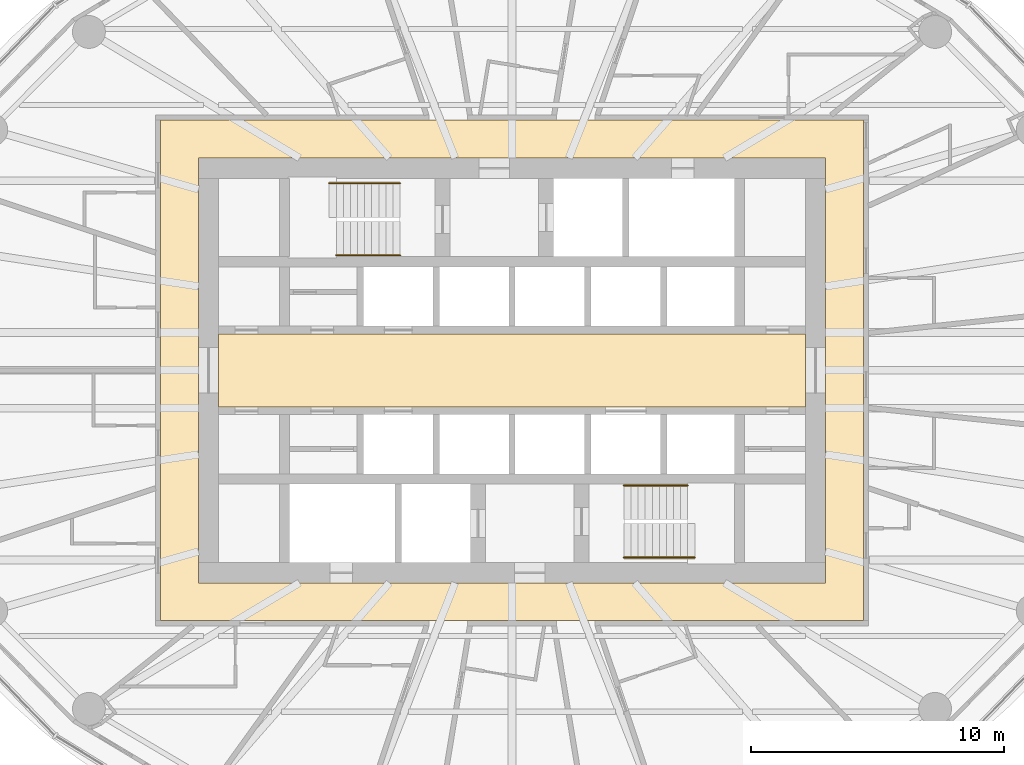
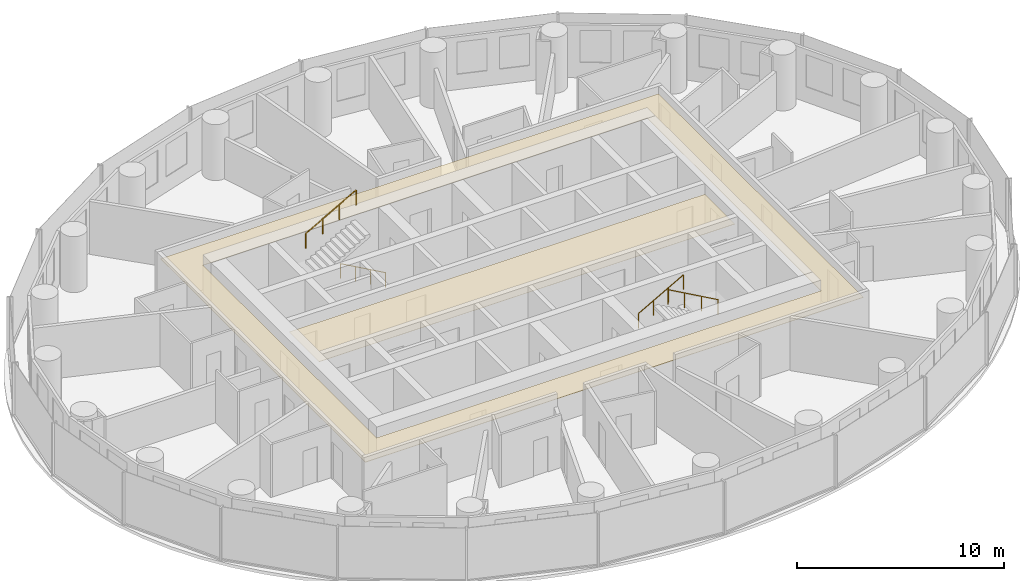
# One storey, part 13 of 13: 4 railings, 2 coverings.
"""IFC4 building model written with IfcOpenShell, lengths in metres."""

from ifc_helpers import new_model, si_unit, direction, frame, origin, origin_2d, place, context, subcontext, project, spatial, polyline, circle, outline, extrude, material, layer, layer_set, type_object, element, save


model = new_model("IFC4")

# Units and contexts
model_context = context("Model", 3, precision=1e-05, world=origin(), true_north=direction((0.0, 1.0)))
body_context = subcontext(model_context, "Body", "Model", "MODEL_VIEW")
ifc_project = project(units=[si_unit("LENGTHUNIT", "METRE"), si_unit("AREAUNIT", "SQUARE_METRE"), si_unit("VOLUMEUNIT", "CUBIC_METRE"), si_unit("PLANEANGLEUNIT", "RADIAN"), si_unit("MASSUNIT", "GRAM", prefix="KILO")], contexts=[model_context])

# Site, building, storey
site_placement = place(None, origin())
site = spatial("IfcSite", under=ifc_project, at=site_placement, CompositionType="ELEMENT")
building_placement = place(site_placement, origin())
building = spatial("IfcBuilding", under=site, at=building_placement, Name="Hankou Lantern Tower", CompositionType="ELEMENT")
storey_placement = place(building_placement, frame((0.0, 0.0, 125.39990234375)))
storey = spatial("IfcBuildingStorey", under=building, at=storey_placement, Name="L32", CompositionType="ELEMENT", Elevation=125.39990234375)

# Coverings
ifc_material_1 = material(Name="Black painted aluminium linear ceiling panels", Category="aluminium")
ifc_layer_1 = layer(ifc_material_1, 0.02490234375)
ifc_layer_set_1 = layer_set([ifc_layer_1], Name="Black painted aluminium linear ceiling panels")
covering_type_1 = type_object("IfcCoveringType", Name="CL1 CORRIDOR CEILING 25", PredefinedType="CEILING", material=ifc_layer_set_1)
covering_1_placement = place(storey_placement, frame((0.0, 0.0, 2.64501953125)))
element("IfcCovering", 1, at=covering_1_placement, inside=storey, type_object=covering_type_1, Name="Corridor ceiling L32", PredefinedType="CEILING", context=body_context, shape_type="SweptSolid", body=[
    extrude(outline(polyline([(-13.89990234375, -9.89990234375), (13.89990234375, -9.89990234375), (13.89990234375, 9.89990234375), (-13.89990234375, 9.89990234375), (-13.89990234375, -9.89990234375)]), holes=[polyline([(-12.39990234375, 8.39990234375), (12.39990234375, 8.39990234375), (12.39990234375, -8.39990234375), (-12.39990234375, -8.39990234375), (-12.39990234375, 8.39990234375)])]), origin(), (0.0, 0.0, 1.0), 0.025146484375),
])
ifc_material_2 = material(Name="Perforated black aluminium acoustic tray ceiling", Category="aluminium")
ifc_layer_2 = layer(ifc_material_2, 0.014892578125)
ifc_layer_set_2 = layer_set([ifc_layer_2], Name="Perforated black aluminium acoustic tray ceiling")
covering_type_2 = type_object("IfcCoveringType", Name="CL2 LIFT LOBBY CEILING 15", PredefinedType="CEILING", material=ifc_layer_set_2)
covering_2_placement = place(storey_placement, frame((0.0, 0.0, 2.655029296875)))
element("IfcCovering", 2, at=covering_2_placement, inside=storey, type_object=covering_type_2, Name="Lift lobby ceiling L32", PredefinedType="CEILING", context=body_context, shape_type="SweptSolid", body=[
    extrude(outline(polyline([(-11.60009765625, -1.449951171875), (11.60009765625, -1.449951171875), (11.60009765625, 1.449951171875), (-11.60009765625, 1.449951171875), (-11.60009765625, -1.449951171875)])), origin(), (0.0, 0.0, 1.0), 0.01513671875),
])

# Railings
ifc_material_3 = material(Name="Steel handrail", Category="steel")
railing_type = type_object("IfcRailingType", Name="HR1 STAIR HANDRAIL", PredefinedType="HANDRAIL", material=ifc_material_3)
railing_1_placement = place(storey_placement, frame((-4.429931640625, 4.550048828125, 0.900146484375)))
element("IfcRailing", 3, at=railing_1_placement, inside=storey, type_object=railing_type, Name="Handrail stair STA L32 flight 1", PredefinedType="HANDRAIL", context=body_context, shape_type="SweptSolid", body=[
    extrude(circle(Radius=0.02392578125, at=origin_2d()), frame((0.0, 0.0, 0.8759765625), z_axis=(-0.872048945198, 0.0, 0.489418672692), x_axis=(0.0, -1.0, 0.0)), (0.0, 0.0, 1.0), 2.8896484375),
    extrude(circle(Radius=0.02099609375, at=origin_2d()), origin(), (0.0, 0.0, 1.0), 0.851806640625),
    extrude(circle(Radius=0.02099609375, at=origin_2d()), frame((-0.840087890625, 0.0, 0.471435546875)), (0.0, 0.0, 1.0), 0.851806640625),
    extrude(circle(Radius=0.02099609375, at=origin_2d()), frame((-1.679931640625, 0.0, 0.94287109375)), (0.0, 0.0, 1.0), 0.851806640625),
    extrude(circle(Radius=0.02099609375, at=origin_2d()), frame((-2.52001953125, 0.0, 1.414306640625)), (0.0, 0.0, 1.0), 0.851806640625),
])
railing_2_placement = place(storey_placement, frame((-7.22998046875, 7.39990234375, 2.471435546875)))
element("IfcRailing", 4, at=railing_2_placement, inside=storey, type_object=railing_type, Name="Handrail stair STA L32 flight 2", PredefinedType="HANDRAIL", context=body_context, shape_type="SweptSolid", body=[
    extrude(circle(Radius=0.02392578125, at=origin_2d()), frame((0.0, 0.0, 0.8759765625), z_axis=(0.872040151574, 0.0, 0.489434340891), x_axis=(0.0, 1.0, 0.0)), (0.0, 0.0, 1.0), 3.2109375),
    extrude(circle(Radius=0.02099609375, at=origin_2d()), origin(), (0.0, 0.0, 1.0), 0.851806640625),
    extrude(circle(Radius=0.02099609375, at=origin_2d()), frame((0.933349609375, 0.0, 0.52392578125)), (0.0, 0.0, 1.0), 0.851806640625),
    extrude(circle(Radius=0.02099609375, at=origin_2d()), frame((1.86669921875, 0.0, 1.047607421875)), (0.0, 0.0, 1.0), 0.851806640625),
    extrude(circle(Radius=0.02099609375, at=origin_2d()), frame((2.800048828125, 0.0, 1.571533203125)), (0.0, 0.0, 1.0), 0.851806640625),
])
railing_3_placement = place(storey_placement, frame((4.429931640625, -4.550048828125, 0.900146484375)))
element("IfcRailing", 5, at=railing_3_placement, inside=storey, type_object=railing_type, Name="Handrail stair STB L32 flight 1", PredefinedType="HANDRAIL", context=body_context, shape_type="SweptSolid", body=[
    extrude(circle(Radius=0.02392578125, at=origin_2d()), frame((0.0, 0.0, 0.8759765625), z_axis=(0.872048945198, 0.0, 0.489418672692), x_axis=(0.0, 1.0, 0.0)), (0.0, 0.0, 1.0), 2.8896484375),
    extrude(circle(Radius=0.02099609375, at=origin_2d()), origin(), (0.0, 0.0, 1.0), 0.851806640625),
    extrude(circle(Radius=0.02099609375, at=origin_2d()), frame((0.840087890625, 0.0, 0.471435546875)), (0.0, 0.0, 1.0), 0.851806640625),
    extrude(circle(Radius=0.02099609375, at=origin_2d()), frame((1.679931640625, 0.0, 0.94287109375)), (0.0, 0.0, 1.0), 0.851806640625),
    extrude(circle(Radius=0.02099609375, at=origin_2d()), frame((2.52001953125, 0.0, 1.414306640625)), (0.0, 0.0, 1.0), 0.851806640625),
])
railing_4_placement = place(storey_placement, frame((7.22998046875, -7.39990234375, 2.471435546875)))
element("IfcRailing", 6, at=railing_4_placement, inside=storey, type_object=railing_type, Name="Handrail stair STB L32 flight 2", PredefinedType="HANDRAIL", context=body_context, shape_type="SweptSolid", body=[
    extrude(circle(Radius=0.02392578125, at=origin_2d()), frame((0.0, 0.0, 0.8759765625), z_axis=(-0.872040151574, 0.0, 0.489434340891), x_axis=(0.0, -1.0, 0.0)), (0.0, 0.0, 1.0), 3.2109375),
    extrude(circle(Radius=0.02099609375, at=origin_2d()), origin(), (0.0, 0.0, 1.0), 0.851806640625),
    extrude(circle(Radius=0.02099609375, at=origin_2d()), frame((-0.933349609375, 0.0, 0.52392578125)), (0.0, 0.0, 1.0), 0.851806640625),
    extrude(circle(Radius=0.02099609375, at=origin_2d()), frame((-1.86669921875, 0.0, 1.047607421875)), (0.0, 0.0, 1.0), 0.851806640625),
    extrude(circle(Radius=0.02099609375, at=origin_2d()), frame((-2.800048828125, 0.0, 1.571533203125)), (0.0, 0.0, 1.0), 0.851806640625),
])

save(model, "model.ifc")
